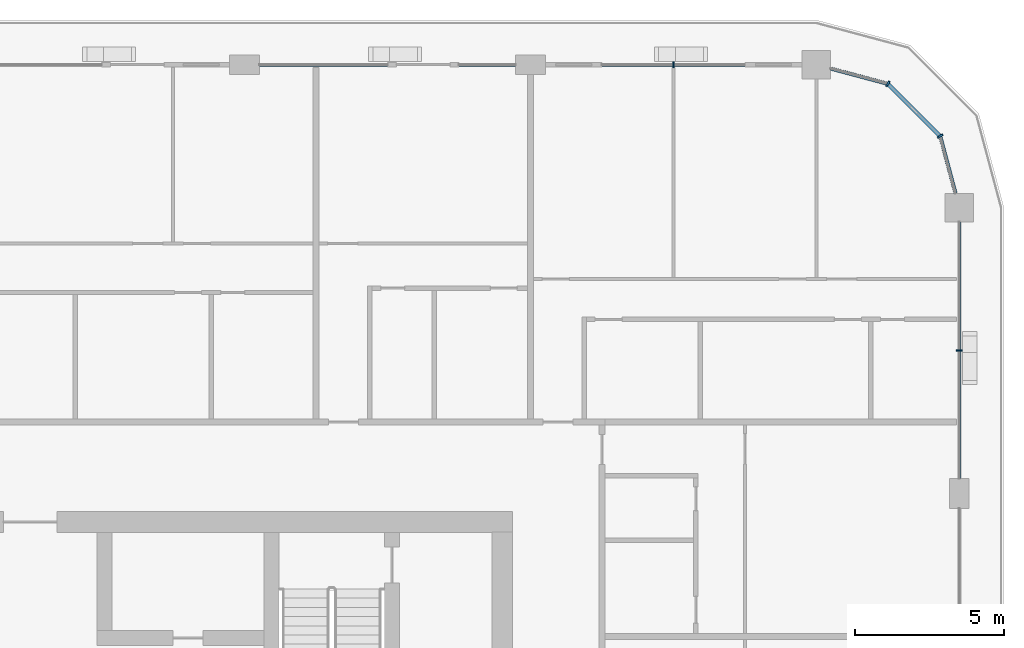
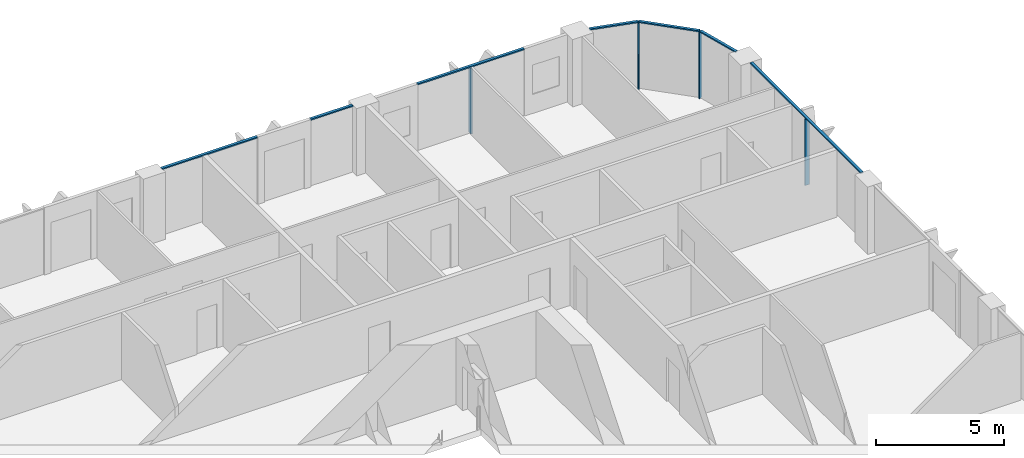
# One storey, part 6 of 22: 11 members, 4 elements without a shape of their own.
"""IFC4 building model written with IfcOpenShell, lengths in metres."""

from ifc_helpers import new_model, si_unit, direction, frame, origin, origin_2d, place, context, subcontext, project, spatial, rectangle, extrude, material, layer, layer_set, material_profile, profile_set, type_object, element, aggregate, save


model = new_model("IFC4")

# Units and contexts
model_context = context("Model", 3, precision=1e-05, world=origin(), true_north=direction((0.0, 1.0)))
body_context = subcontext(model_context, "Body", "Model", "MODEL_VIEW")
ifc_project = project(units=[si_unit("LENGTHUNIT", "METRE"), si_unit("AREAUNIT", "SQUARE_METRE"), si_unit("VOLUMEUNIT", "CUBIC_METRE"), si_unit("PLANEANGLEUNIT", "RADIAN"), si_unit("MASSUNIT", "GRAM", prefix="KILO")], contexts=[model_context])

# Site, building, storey
site_placement = place(None, origin())
site = spatial("IfcSite", under=ifc_project, at=site_placement, CompositionType="ELEMENT")
building_placement = place(site_placement, origin())
building = spatial("IfcBuilding", under=site, at=building_placement, Name="Madar Terraces", CompositionType="ELEMENT")
storey_placement = place(building_placement, frame((0.0, 0.0, 208.800048828125)))
storey = spatial("IfcBuildingStorey", under=building, at=storey_placement, Name="L54", CompositionType="ELEMENT", Elevation=208.800048828125)

# Curtain wall, member
ifc_material_1 = material(Name="Glass, ceramic frit dark grey, with black aluminium frame", Category="aluminium")
ifc_layer = layer(ifc_material_1, 0.199951171875)
ifc_layer_set = layer_set([ifc_layer], Name="Facade curtain wall, fritted glass")
curtain_wall_type = type_object("IfcCurtainWallType", Name="Facade curtain wall, fritted glass", PredefinedType="NOTDEFINED", material=ifc_layer_set)
curtain_wall_1_placement = place(storey_placement, origin())
curtain_wall_1 = element("IfcCurtainWall", 1, at=curtain_wall_1_placement, inside=storey, type_object=curtain_wall_type, Name="Outer skin curtain wall east bay 4", PredefinedType="NOTDEFINED")
ifc_material_2 = material(Name="Aluminium, black anodised", Category="aluminium")
ifc_material_profile_1 = material_profile(ifc_material_2, rectangle(XDim=0.199951171875, YDim=0.06005859375, at=origin_2d()), Name="Facade mullion 60x200")
ifc_profile_set_1 = profile_set([ifc_material_profile_1], Name="Aluminium, black anodised")
member_type_1 = type_object("IfcMemberType", Name="Facade mullion 60x200", PredefinedType="MULLION", material=ifc_profile_set_1)
member_1_placement = place(storey_placement, frame((62.39990234375, 43.199951171875, 0.0), z_axis=(0.0, 0.0, 1.0), x_axis=(-1.0, 0.0, 0.0)))
member_1 = element("IfcMember", 2, at=member_1_placement, type_object=member_type_1, Name="Mullion 1", PredefinedType="MULLION", context=body_context, shape_type="SweptSolid", body=[
    extrude(rectangle(XDim=0.199951171875, YDim=0.06005859375, at=origin_2d()), origin(), (0.0, 0.0, 1.0), 3.139892578125),
])

curtain_wall_2_placement = place(storey_placement, origin())
curtain_wall_2 = element("IfcCurtainWall", 3, at=curtain_wall_2_placement, inside=storey, type_object=curtain_wall_type, Name="Outer skin curtain wall north bay 1", PredefinedType="NOTDEFINED")
member_2_placement = place(storey_placement, frame((52.800048828125, 52.800048828125, 0.0), z_axis=(0.0, 0.0, 1.0), x_axis=(0.0, -1.0, 0.0)))
member_2 = element("IfcMember", 4, at=member_2_placement, type_object=member_type_1, Name="Mullion 1", PredefinedType="MULLION", context=body_context, shape_type="SweptSolid", body=[
    extrude(rectangle(XDim=0.199951171875, YDim=0.06005859375, at=origin_2d()), origin(), (0.0, 0.0, 1.0), 3.139892578125),
])

# Curtain wall, members
curtain_wall_3_placement = place(storey_placement, origin())
curtain_wall_3 = element("IfcCurtainWall", 5, at=curtain_wall_3_placement, inside=storey, type_object=curtain_wall_type, Name="Outer skin curtain wall north-east corner", PredefinedType="NOTDEFINED")
member_3_placement = place(storey_placement, frame((61.7568359375, 50.39990234375, 0.0), z_axis=(0.0, 0.0, 1.0), x_axis=(-0.866025409797, -0.499999989586, 0.0)))
member_3 = element("IfcMember", 6, at=member_3_placement, type_object=member_type_1, Name="Mullion 1", PredefinedType="MULLION", context=body_context, shape_type="SweptSolid", body=[
    extrude(rectangle(XDim=0.199951171875, YDim=0.06005859375, at=origin_2d()), origin(), (0.0, 0.0, 1.0), 3.139892578125),
])
member_4_placement = place(storey_placement, frame((60.0, 52.156982421875, 0.0), z_axis=(0.0, 0.0, 1.0), x_axis=(-0.499999989586, -0.866025409797, 0.0)))
member_4 = element("IfcMember", 7, at=member_4_placement, type_object=member_type_1, Name="Mullion 2", PredefinedType="MULLION", context=body_context, shape_type="SweptSolid", body=[
    extrude(rectangle(XDim=0.199951171875, YDim=0.06005859375, at=origin_2d()), origin(), (0.0, 0.0, 1.0), 3.139892578125),
])

# Member
ifc_material_3 = material(Name="Aluminium, black anodised", Category="aluminium")
ifc_material_profile_2 = material_profile(ifc_material_3, rectangle(XDim=0.1201171875, YDim=0.06005859375, at=origin_2d()), Name="Facade transom 60x120")
ifc_profile_set_2 = profile_set([ifc_material_profile_2], Name="Aluminium, black anodised")
member_type_2 = type_object("IfcMemberType", Name="Facade transom 60x120", PredefinedType="USERDEFINED", material=ifc_profile_set_2)
member_5_placement = place(storey_placement, frame((62.39990234375, 38.89990234375, 3.169921875), z_axis=(0.0, 1.0, 0.0), x_axis=(-1.0, 0.0, 0.0)))
member_5 = element("IfcMember", 8, at=member_5_placement, type_object=member_type_2, Name="Transom 1", ObjectType="TRANSOM", PredefinedType="USERDEFINED", context=body_context, shape_type="SweptSolid", body=[
    extrude(rectangle(XDim=0.1201171875, YDim=0.06005859375, at=origin_2d()), origin(), (0.0, 0.0, 1.0), 8.625),
])

aggregate(curtain_wall_1, [member_1, member_5])

member_6_placement = place(storey_placement, frame((55.199951171875, 52.800048828125, 3.169921875), z_axis=(-1.0, 0.0, 0.0), x_axis=(0.0, -1.0, 0.0)))
member_6 = element("IfcMember", 9, at=member_6_placement, type_object=member_type_2, Name="Transom 1", ObjectType="TRANSOM", PredefinedType="USERDEFINED", context=body_context, shape_type="SweptSolid", body=[
    extrude(rectangle(XDim=0.1201171875, YDim=0.06005859375, at=origin_2d()), origin(), (0.0, 0.0, 1.0), 4.800048828125),
])

aggregate(curtain_wall_2, [member_2, member_6])

# Curtain wall, members
curtain_wall_4_placement = place(storey_placement, origin())
curtain_wall_4 = element("IfcCurtainWall", 10, at=curtain_wall_4_placement, inside=storey, type_object=curtain_wall_type, Name="Outer skin curtain wall north bay 2", PredefinedType="NOTDEFINED")
member_7_placement = place(storey_placement, frame((47.5, 52.800048828125, 3.169921875), z_axis=(-1.0, 0.0, 0.0), x_axis=(0.0, -1.0, 0.0)))
member_7 = element("IfcMember", 11, at=member_7_placement, type_object=member_type_2, Name="Transom 1", ObjectType="TRANSOM", PredefinedType="USERDEFINED", context=body_context, shape_type="SweptSolid", body=[
    extrude(rectangle(XDim=0.1201171875, YDim=0.06005859375, at=origin_2d()), origin(), (0.0, 0.0, 1.0), 1.89990234375),
])
member_8_placement = place(storey_placement, frame((43.199951171875, 52.800048828125, 3.169921875), z_axis=(-1.0, 0.0, 0.0), x_axis=(0.0, -1.0, 0.0)))
member_8 = element("IfcMember", 12, at=member_8_placement, type_object=member_type_2, Name="Transom 2", ObjectType="TRANSOM", PredefinedType="USERDEFINED", context=body_context, shape_type="SweptSolid", body=[
    extrude(rectangle(XDim=0.1201171875, YDim=0.06005859375, at=origin_2d()), origin(), (0.0, 0.0, 1.0), 4.300048828125),
])
aggregate(curtain_wall_4, [member_7, member_8])

# Member
member_9_placement = place(storey_placement, frame((62.272705078125, 48.47509765625, 3.169921875), z_axis=(-0.258831412352, 0.96592251241, 0.0), x_axis=(-0.96592251241, -0.258831412352, 0.0)))
member_9 = element("IfcMember", 13, at=member_9_placement, type_object=member_type_2, Name="Transom 1", ObjectType="TRANSOM", PredefinedType="USERDEFINED", context=body_context, shape_type="SweptSolid", body=[
    extrude(rectangle(XDim=0.1201171875, YDim=0.06005859375, at=origin_2d()), origin(), (0.0, 0.0, 1.0), 1.962890625),
])

member_10_placement = place(storey_placement, frame((61.735595703125, 50.421142578125, 3.169921875), z_axis=(-0.707056433593, 0.707157125196, 0.0), x_axis=(-0.707157125196, -0.707056433593, 0.0)))
member_10 = element("IfcMember", 14, at=member_10_placement, type_object=member_type_2, Name="Transom 2", ObjectType="TRANSOM", PredefinedType="USERDEFINED", context=body_context, shape_type="SweptSolid", body=[
    extrude(rectangle(XDim=0.1201171875, YDim=0.06005859375, at=origin_2d()), origin(), (0.0, 0.0, 1.0), 2.424560546875),
])

member_11_placement = place(storey_placement, frame((59.970947265625, 52.164794921875, 3.169921875), z_axis=(-0.965953602414, 0.258715360935, 0.0), x_axis=(-0.258715360935, -0.965953602414, 0.0)))
member_11 = element("IfcMember", 15, at=member_11_placement, type_object=member_type_2, Name="Transom 3", ObjectType="TRANSOM", PredefinedType="USERDEFINED", context=body_context, shape_type="SweptSolid", body=[
    extrude(rectangle(XDim=0.1201171875, YDim=0.06005859375, at=origin_2d()), origin(), (0.0, 0.0, 1.0), 1.962890625),
])

aggregate(curtain_wall_3, [member_3, member_9, member_4, member_10, member_11])

save(model, "model.ifc")
